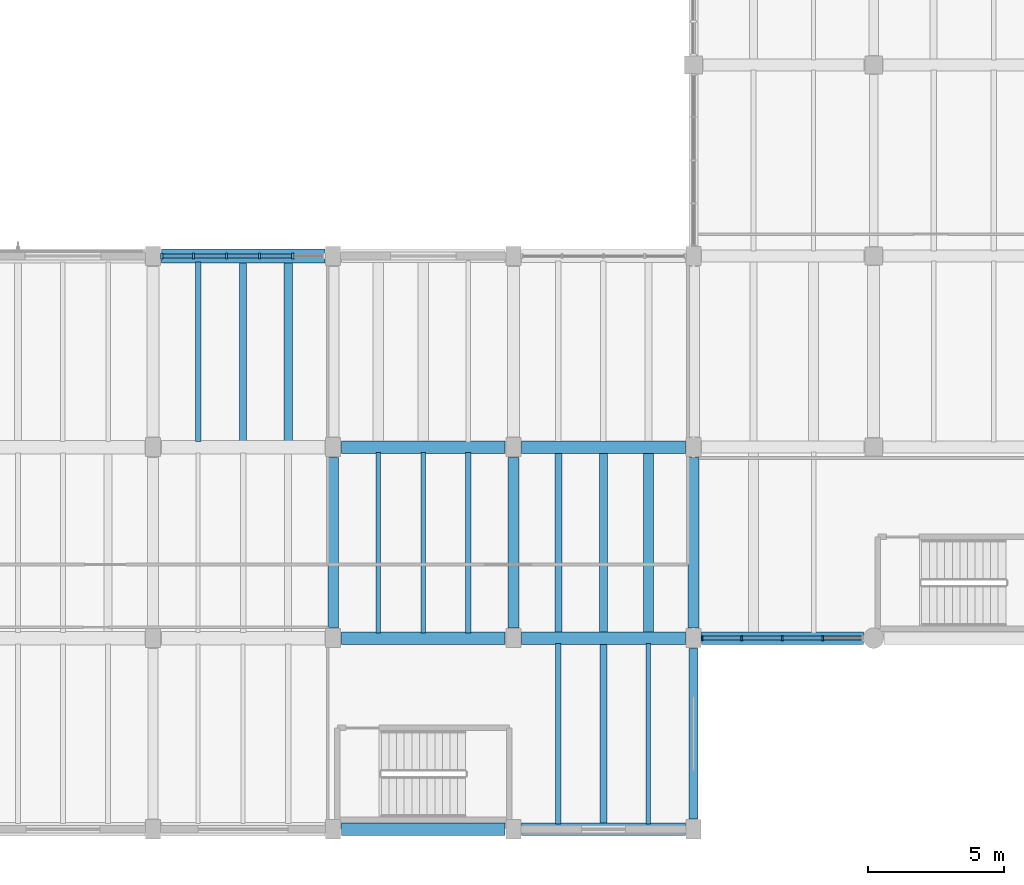
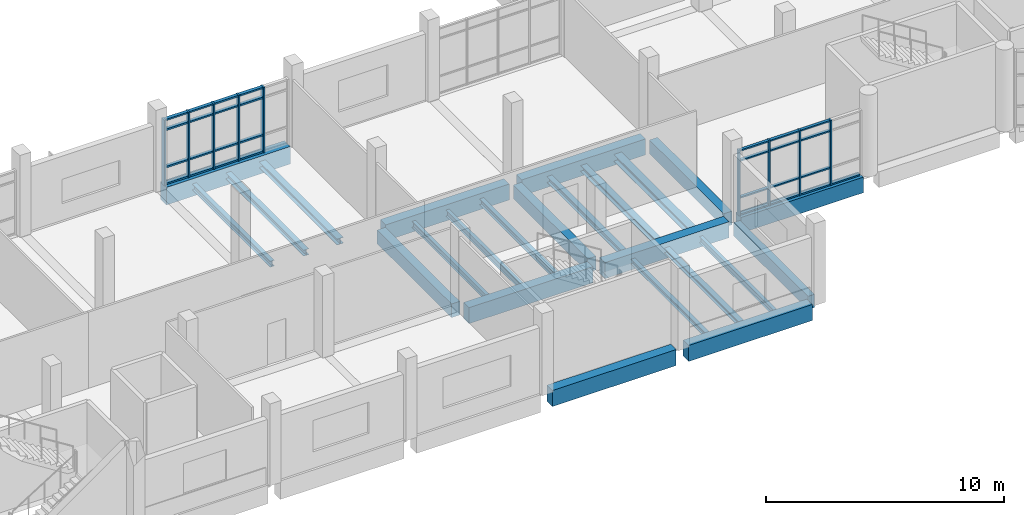
# One storey, part 5 of 68: 38 members, 24 beams, 2 elements without a shape of their own.
"""IFC4 building model written with IfcOpenShell, lengths in metres."""

from ifc_helpers import new_model, si_unit, direction, frame, origin, origin_2d, place, context, subcontext, project, spatial, rectangle, i_section, extrude, material, material_profile, profile_set, type_object, element, aggregate, save


model = new_model("IFC4")

# Units and contexts
model_context = context("Model", 3, precision=1e-05, world=origin(), true_north=direction((0.0, 1.0)))
body_context = subcontext(model_context, "Body", "Model", "MODEL_VIEW")
ifc_project = project(units=[si_unit("LENGTHUNIT", "METRE"), si_unit("AREAUNIT", "SQUARE_METRE"), si_unit("VOLUMEUNIT", "CUBIC_METRE"), si_unit("PLANEANGLEUNIT", "RADIAN"), si_unit("MASSUNIT", "GRAM", prefix="KILO")], contexts=[model_context])

# Site, building, storey
site_placement = place(None, origin())
site = spatial("IfcSite", under=ifc_project, at=site_placement, CompositionType="ELEMENT")
building_placement = place(site_placement, origin())
building = spatial("IfcBuilding", under=site, at=building_placement, Name="Ciguamira Faculty of Natural Sciences", CompositionType="ELEMENT")
storey_placement = place(building_placement, frame((0.0, 0.0, 4.199951171875)))
storey = spatial("IfcBuildingStorey", under=building, at=storey_placement, Name="L01", CompositionType="ELEMENT", Elevation=4.199951171875)

# Curtain wall, members
ifc_material_1 = material(Name="Anodized aluminium curtain wall", Category="aluminium")
curtain_wall_type_1 = type_object("IfcCurtainWallType", Name="CurtainWall_CW-02", PredefinedType="USERDEFINED", material=ifc_material_1)
curtain_wall_1_placement = place(storey_placement, origin())
curtain_wall_1 = element("IfcCurtainWall", 1, at=curtain_wall_1_placement, inside=storey, type_object=curtain_wall_type_1, Name="L01 unitised curtain wall 0026", ObjectType="UNITISED CURTAIN WALL", PredefinedType="USERDEFINED")
ifc_material_2 = material(Name="Anodized aluminium mullion", Category="aluminium")
ifc_material_profile_1 = material_profile(ifc_material_2, rectangle(XDim=0.070068359375, YDim=0.179931640625, at=origin_2d()), Name="ALU-MUL-70X180")
ifc_profile_set_1 = profile_set([ifc_material_profile_1], Name="Anodized aluminium mullion")
member_type_1 = type_object("IfcMemberType", Name="CWMullion_CWM-02", PredefinedType="MULLION", material=ifc_profile_set_1)
member_1_placement = place(storey_placement, frame((51.010009765625, 10.0, 0.0), z_axis=(0.0, 0.0, 1.0), x_axis=(1.0, 0.0, 0.0)))
member_1 = element("IfcMember", 2, at=member_1_placement, type_object=member_type_1, Name="CW-02 mullion 1", PredefinedType="MULLION", context=body_context, shape_type="SweptSolid", body=[
    extrude(rectangle(XDim=0.070068359375, YDim=0.179931640625, at=origin_2d()), origin(), (0.0, 0.0, 1.0), 3.344970703125),
])
member_2_placement = place(storey_placement, frame((52.46240234375, 10.0, 0.0), z_axis=(0.0, 0.0, 1.0), x_axis=(1.0, 0.0, 0.0)))
member_2 = element("IfcMember", 3, at=member_2_placement, type_object=member_type_1, Name="CW-02 mullion 2", PredefinedType="MULLION", context=body_context, shape_type="SweptSolid", body=[
    extrude(rectangle(XDim=0.070068359375, YDim=0.179931640625, at=origin_2d()), origin(), (0.0, 0.0, 1.0), 3.344970703125),
])
member_3_placement = place(storey_placement, frame((53.949951171875, 10.0, 0.0), z_axis=(0.0, 0.0, 1.0), x_axis=(1.0, 0.0, 0.0)))
member_3 = element("IfcMember", 4, at=member_3_placement, type_object=member_type_1, Name="CW-02 mullion 3", PredefinedType="MULLION", context=body_context, shape_type="SweptSolid", body=[
    extrude(rectangle(XDim=0.070068359375, YDim=0.179931640625, at=origin_2d()), origin(), (0.0, 0.0, 1.0), 3.344970703125),
])
member_4_placement = place(storey_placement, frame((55.4375, 10.0, 0.0), z_axis=(0.0, 0.0, 1.0), x_axis=(1.0, 0.0, 0.0)))
member_4 = element("IfcMember", 5, at=member_4_placement, type_object=member_type_1, Name="CW-02 mullion 4", PredefinedType="MULLION", context=body_context, shape_type="SweptSolid", body=[
    extrude(rectangle(XDim=0.070068359375, YDim=0.179931640625, at=origin_2d()), origin(), (0.0, 0.0, 1.0), 3.344970703125),
])

curtain_wall_type_2 = type_object("IfcCurtainWallType", Name="CurtainWall_CW-06", PredefinedType="USERDEFINED", material=ifc_material_1)
curtain_wall_2_placement = place(storey_placement, origin())
curtain_wall_2 = element("IfcCurtainWall", 6, at=curtain_wall_2_placement, inside=storey, type_object=curtain_wall_type_2, Name="L01 unitised curtain wall 0030", ObjectType="UNITISED CURTAIN WALL", PredefinedType="USERDEFINED")
ifc_material_profile_2 = material_profile(ifc_material_2, rectangle(XDim=0.080078125, YDim=0.219970703125, at=origin_2d()), Name="ALU-MUL-80X220")
ifc_profile_set_2 = profile_set([ifc_material_profile_2], Name="Anodized aluminium mullion")
member_type_2 = type_object("IfcMemberType", Name="CWMullion_CWM-03", PredefinedType="MULLION", material=ifc_profile_set_2)
member_5_placement = place(storey_placement, frame((31.215087890625, 24.0, 0.0), z_axis=(0.0, 0.0, 1.0), x_axis=(1.0, 0.0, 0.0)))
member_5 = element("IfcMember", 7, at=member_5_placement, type_object=member_type_2, Name="CW-06 mullion 1", PredefinedType="MULLION", context=body_context, shape_type="SweptSolid", body=[
    extrude(rectangle(XDim=0.080078125, YDim=0.219970703125, at=origin_2d()), origin(), (0.0, 0.0, 1.0), 3.364990234375),
])
member_6_placement = place(storey_placement, frame((32.385009765625, 24.0, 0.0), z_axis=(0.0, 0.0, 1.0), x_axis=(1.0, 0.0, 0.0)))
member_6 = element("IfcMember", 8, at=member_6_placement, type_object=member_type_2, Name="CW-06 mullion 2", PredefinedType="MULLION", context=body_context, shape_type="SweptSolid", body=[
    extrude(rectangle(XDim=0.080078125, YDim=0.219970703125, at=origin_2d()), origin(), (0.0, 0.0, 1.0), 3.364990234375),
])
member_7_placement = place(storey_placement, frame((33.594970703125, 24.0, 0.0), z_axis=(0.0, 0.0, 1.0), x_axis=(1.0, 0.0, 0.0)))
member_7 = element("IfcMember", 9, at=member_7_placement, type_object=member_type_2, Name="CW-06 mullion 3", PredefinedType="MULLION", context=body_context, shape_type="SweptSolid", body=[
    extrude(rectangle(XDim=0.080078125, YDim=0.219970703125, at=origin_2d()), origin(), (0.0, 0.0, 1.0), 3.364990234375),
])
member_8_placement = place(storey_placement, frame((34.804931640625, 24.0, 0.0), z_axis=(0.0, 0.0, 1.0), x_axis=(1.0, 0.0, 0.0)))
member_8 = element("IfcMember", 10, at=member_8_placement, type_object=member_type_2, Name="CW-06 mullion 4", PredefinedType="MULLION", context=body_context, shape_type="SweptSolid", body=[
    extrude(rectangle(XDim=0.080078125, YDim=0.219970703125, at=origin_2d()), origin(), (0.0, 0.0, 1.0), 3.364990234375),
])
member_9_placement = place(storey_placement, frame((36.014892578125, 24.0, 0.0), z_axis=(0.0, 0.0, 1.0), x_axis=(1.0, 0.0, 0.0)))
member_9 = element("IfcMember", 11, at=member_9_placement, type_object=member_type_2, Name="CW-06 mullion 5", PredefinedType="MULLION", context=body_context, shape_type="SweptSolid", body=[
    extrude(rectangle(XDim=0.080078125, YDim=0.219970703125, at=origin_2d()), origin(), (0.0, 0.0, 1.0), 3.364990234375),
])

# Member
ifc_material_3 = material(Name="Anodized aluminium transom", Category="aluminium")
ifc_material_profile_3 = material_profile(ifc_material_3, rectangle(XDim=0.070068359375, YDim=0.139892578125, at=origin_2d()), Name="ALU-TRN-70X140")
ifc_profile_set_3 = profile_set([ifc_material_profile_3], Name="Anodized aluminium transom")
member_type_3 = type_object("IfcMemberType", Name="CWTransom_CWT-02", PredefinedType="USERDEFINED", material=ifc_profile_set_3)
member_10_placement = place(storey_placement, frame((51.044921875, 10.0, 0.03515625), z_axis=(1.0, 0.0, 0.0), x_axis=(0.0, 0.0, 1.0)))
member_10 = element("IfcMember", 12, at=member_10_placement, type_object=member_type_3, Name="CW-02 transom 1.1", ObjectType="TRANSOM", PredefinedType="USERDEFINED", context=body_context, shape_type="SweptSolid", body=[
    extrude(rectangle(XDim=0.070068359375, YDim=0.139892578125, at=origin_2d()), origin(), (0.0, 0.0, 1.0), 1.382568359375),
])

member_11_placement = place(storey_placement, frame((51.044921875, 10.0, 0.900146484375), z_axis=(1.0, 0.0, 0.0), x_axis=(0.0, 0.0, 1.0)))
member_11 = element("IfcMember", 13, at=member_11_placement, type_object=member_type_3, Name="CW-02 transom 1.2", ObjectType="TRANSOM", PredefinedType="USERDEFINED", context=body_context, shape_type="SweptSolid", body=[
    extrude(rectangle(XDim=0.070068359375, YDim=0.139892578125, at=origin_2d()), origin(), (0.0, 0.0, 1.0), 1.382568359375),
])

member_12_placement = place(storey_placement, frame((51.044921875, 10.0, 2.795166015625), z_axis=(1.0, 0.0, 0.0), x_axis=(0.0, 0.0, 1.0)))
member_12 = element("IfcMember", 14, at=member_12_placement, type_object=member_type_3, Name="CW-02 transom 1.3", ObjectType="TRANSOM", PredefinedType="USERDEFINED", context=body_context, shape_type="SweptSolid", body=[
    extrude(rectangle(XDim=0.070068359375, YDim=0.139892578125, at=origin_2d()), origin(), (0.0, 0.0, 1.0), 1.382568359375),
])

member_13_placement = place(storey_placement, frame((51.044921875, 10.0, 3.31005859375), z_axis=(1.0, 0.0, 0.0), x_axis=(0.0, 0.0, 1.0)))
member_13 = element("IfcMember", 15, at=member_13_placement, type_object=member_type_3, Name="CW-02 transom 1.4", ObjectType="TRANSOM", PredefinedType="USERDEFINED", context=body_context, shape_type="SweptSolid", body=[
    extrude(rectangle(XDim=0.070068359375, YDim=0.139892578125, at=origin_2d()), origin(), (0.0, 0.0, 1.0), 1.382568359375),
])

member_14_placement = place(storey_placement, frame((52.49755859375, 10.0, 0.03515625), z_axis=(1.0, 0.0, 0.0), x_axis=(0.0, 0.0, 1.0)))
member_14 = element("IfcMember", 16, at=member_14_placement, type_object=member_type_3, Name="CW-02 transom 2.1", ObjectType="TRANSOM", PredefinedType="USERDEFINED", context=body_context, shape_type="SweptSolid", body=[
    extrude(rectangle(XDim=0.070068359375, YDim=0.139892578125, at=origin_2d()), origin(), (0.0, 0.0, 1.0), 1.41748046875),
])

member_15_placement = place(storey_placement, frame((52.49755859375, 10.0, 0.900146484375), z_axis=(1.0, 0.0, 0.0), x_axis=(0.0, 0.0, 1.0)))
member_15 = element("IfcMember", 17, at=member_15_placement, type_object=member_type_3, Name="CW-02 transom 2.2", ObjectType="TRANSOM", PredefinedType="USERDEFINED", context=body_context, shape_type="SweptSolid", body=[
    extrude(rectangle(XDim=0.070068359375, YDim=0.139892578125, at=origin_2d()), origin(), (0.0, 0.0, 1.0), 1.41748046875),
])

member_16_placement = place(storey_placement, frame((52.49755859375, 10.0, 2.795166015625), z_axis=(1.0, 0.0, 0.0), x_axis=(0.0, 0.0, 1.0)))
member_16 = element("IfcMember", 18, at=member_16_placement, type_object=member_type_3, Name="CW-02 transom 2.3", ObjectType="TRANSOM", PredefinedType="USERDEFINED", context=body_context, shape_type="SweptSolid", body=[
    extrude(rectangle(XDim=0.070068359375, YDim=0.139892578125, at=origin_2d()), origin(), (0.0, 0.0, 1.0), 1.41748046875),
])

member_17_placement = place(storey_placement, frame((52.49755859375, 10.0, 3.31005859375), z_axis=(1.0, 0.0, 0.0), x_axis=(0.0, 0.0, 1.0)))
member_17 = element("IfcMember", 19, at=member_17_placement, type_object=member_type_3, Name="CW-02 transom 2.4", ObjectType="TRANSOM", PredefinedType="USERDEFINED", context=body_context, shape_type="SweptSolid", body=[
    extrude(rectangle(XDim=0.070068359375, YDim=0.139892578125, at=origin_2d()), origin(), (0.0, 0.0, 1.0), 1.41748046875),
])

member_18_placement = place(storey_placement, frame((53.985107421875, 10.0, 0.03515625), z_axis=(1.0, 0.0, 0.0), x_axis=(0.0, 0.0, 1.0)))
member_18 = element("IfcMember", 20, at=member_18_placement, type_object=member_type_3, Name="CW-02 transom 3.1", ObjectType="TRANSOM", PredefinedType="USERDEFINED", context=body_context, shape_type="SweptSolid", body=[
    extrude(rectangle(XDim=0.070068359375, YDim=0.139892578125, at=origin_2d()), origin(), (0.0, 0.0, 1.0), 1.41748046875),
])

member_19_placement = place(storey_placement, frame((53.985107421875, 10.0, 0.900146484375), z_axis=(1.0, 0.0, 0.0), x_axis=(0.0, 0.0, 1.0)))
member_19 = element("IfcMember", 21, at=member_19_placement, type_object=member_type_3, Name="CW-02 transom 3.2", ObjectType="TRANSOM", PredefinedType="USERDEFINED", context=body_context, shape_type="SweptSolid", body=[
    extrude(rectangle(XDim=0.070068359375, YDim=0.139892578125, at=origin_2d()), origin(), (0.0, 0.0, 1.0), 1.41748046875),
])

member_20_placement = place(storey_placement, frame((53.985107421875, 10.0, 2.795166015625), z_axis=(1.0, 0.0, 0.0), x_axis=(0.0, 0.0, 1.0)))
member_20 = element("IfcMember", 22, at=member_20_placement, type_object=member_type_3, Name="CW-02 transom 3.3", ObjectType="TRANSOM", PredefinedType="USERDEFINED", context=body_context, shape_type="SweptSolid", body=[
    extrude(rectangle(XDim=0.070068359375, YDim=0.139892578125, at=origin_2d()), origin(), (0.0, 0.0, 1.0), 1.41748046875),
])

member_21_placement = place(storey_placement, frame((53.985107421875, 10.0, 3.31005859375), z_axis=(1.0, 0.0, 0.0), x_axis=(0.0, 0.0, 1.0)))
member_21 = element("IfcMember", 23, at=member_21_placement, type_object=member_type_3, Name="CW-02 transom 3.4", ObjectType="TRANSOM", PredefinedType="USERDEFINED", context=body_context, shape_type="SweptSolid", body=[
    extrude(rectangle(XDim=0.070068359375, YDim=0.139892578125, at=origin_2d()), origin(), (0.0, 0.0, 1.0), 1.41748046875),
])

member_22_placement = place(storey_placement, frame((55.472412109375, 10.0, 0.03515625), z_axis=(1.0, 0.0, 0.0), x_axis=(0.0, 0.0, 1.0)))
member_22 = element("IfcMember", 24, at=member_22_placement, type_object=member_type_3, Name="CW-02 transom 4.1", ObjectType="TRANSOM", PredefinedType="USERDEFINED", context=body_context, shape_type="SweptSolid", body=[
    extrude(rectangle(XDim=0.070068359375, YDim=0.139892578125, at=origin_2d()), origin(), (0.0, 0.0, 1.0), 1.382568359375),
])

aggregate(curtain_wall_1, [member_1, member_2, member_3, member_4, member_10, member_11, member_12, member_13, member_14, member_15, member_16, member_17, member_18, member_19, member_20, member_21, member_22])

ifc_material_profile_4 = material_profile(ifc_material_3, rectangle(XDim=0.080078125, YDim=0.159912109375, at=origin_2d()), Name="ALU-TRN-80X160")
ifc_profile_set_4 = profile_set([ifc_material_profile_4], Name="Anodized aluminium transom")
member_type_4 = type_object("IfcMemberType", Name="CWTransom_CWT-03", PredefinedType="USERDEFINED", material=ifc_profile_set_4)
member_23_placement = place(storey_placement, frame((31.2548828125, 24.0, 0.0400390625), z_axis=(1.0, 0.0, 0.0), x_axis=(0.0, 0.0, 1.0)))
member_23 = element("IfcMember", 25, at=member_23_placement, type_object=member_type_4, Name="CW-06 transom 1.1", ObjectType="TRANSOM", PredefinedType="USERDEFINED", context=body_context, shape_type="SweptSolid", body=[
    extrude(rectangle(XDim=0.080078125, YDim=0.159912109375, at=origin_2d()), origin(), (0.0, 0.0, 1.0), 1.090087890625),
])

member_24_placement = place(storey_placement, frame((31.2548828125, 24.0, 0.900146484375), z_axis=(1.0, 0.0, 0.0), x_axis=(0.0, 0.0, 1.0)))
member_24 = element("IfcMember", 26, at=member_24_placement, type_object=member_type_4, Name="CW-06 transom 1.2", ObjectType="TRANSOM", PredefinedType="USERDEFINED", context=body_context, shape_type="SweptSolid", body=[
    extrude(rectangle(XDim=0.080078125, YDim=0.159912109375, at=origin_2d()), origin(), (0.0, 0.0, 1.0), 1.090087890625),
])

member_25_placement = place(storey_placement, frame((31.2548828125, 24.0, 2.81494140625), z_axis=(1.0, 0.0, 0.0), x_axis=(0.0, 0.0, 1.0)))
member_25 = element("IfcMember", 27, at=member_25_placement, type_object=member_type_4, Name="CW-06 transom 1.3", ObjectType="TRANSOM", PredefinedType="USERDEFINED", context=body_context, shape_type="SweptSolid", body=[
    extrude(rectangle(XDim=0.080078125, YDim=0.159912109375, at=origin_2d()), origin(), (0.0, 0.0, 1.0), 1.090087890625),
])

member_26_placement = place(storey_placement, frame((31.2548828125, 24.0, 3.324951171875), z_axis=(1.0, 0.0, 0.0), x_axis=(0.0, 0.0, 1.0)))
member_26 = element("IfcMember", 28, at=member_26_placement, type_object=member_type_4, Name="CW-06 transom 1.4", ObjectType="TRANSOM", PredefinedType="USERDEFINED", context=body_context, shape_type="SweptSolid", body=[
    extrude(rectangle(XDim=0.080078125, YDim=0.159912109375, at=origin_2d()), origin(), (0.0, 0.0, 1.0), 1.090087890625),
])

member_27_placement = place(storey_placement, frame((32.425048828125, 24.0, 0.0400390625), z_axis=(1.0, 0.0, 0.0), x_axis=(0.0, 0.0, 1.0)))
member_27 = element("IfcMember", 29, at=member_27_placement, type_object=member_type_4, Name="CW-06 transom 2.1", ObjectType="TRANSOM", PredefinedType="USERDEFINED", context=body_context, shape_type="SweptSolid", body=[
    extrude(rectangle(XDim=0.080078125, YDim=0.159912109375, at=origin_2d()), origin(), (0.0, 0.0, 1.0), 1.1298828125),
])

member_28_placement = place(storey_placement, frame((32.425048828125, 24.0, 0.900146484375), z_axis=(1.0, 0.0, 0.0), x_axis=(0.0, 0.0, 1.0)))
member_28 = element("IfcMember", 30, at=member_28_placement, type_object=member_type_4, Name="CW-06 transom 2.2", ObjectType="TRANSOM", PredefinedType="USERDEFINED", context=body_context, shape_type="SweptSolid", body=[
    extrude(rectangle(XDim=0.080078125, YDim=0.159912109375, at=origin_2d()), origin(), (0.0, 0.0, 1.0), 1.1298828125),
])

member_29_placement = place(storey_placement, frame((32.425048828125, 24.0, 2.81494140625), z_axis=(1.0, 0.0, 0.0), x_axis=(0.0, 0.0, 1.0)))
member_29 = element("IfcMember", 31, at=member_29_placement, type_object=member_type_4, Name="CW-06 transom 2.3", ObjectType="TRANSOM", PredefinedType="USERDEFINED", context=body_context, shape_type="SweptSolid", body=[
    extrude(rectangle(XDim=0.080078125, YDim=0.159912109375, at=origin_2d()), origin(), (0.0, 0.0, 1.0), 1.1298828125),
])

member_30_placement = place(storey_placement, frame((32.425048828125, 24.0, 3.324951171875), z_axis=(1.0, 0.0, 0.0), x_axis=(0.0, 0.0, 1.0)))
member_30 = element("IfcMember", 32, at=member_30_placement, type_object=member_type_4, Name="CW-06 transom 2.4", ObjectType="TRANSOM", PredefinedType="USERDEFINED", context=body_context, shape_type="SweptSolid", body=[
    extrude(rectangle(XDim=0.080078125, YDim=0.159912109375, at=origin_2d()), origin(), (0.0, 0.0, 1.0), 1.1298828125),
])

member_31_placement = place(storey_placement, frame((33.635009765625, 24.0, 0.0400390625), z_axis=(1.0, 0.0, 0.0), x_axis=(0.0, 0.0, 1.0)))
member_31 = element("IfcMember", 33, at=member_31_placement, type_object=member_type_4, Name="CW-06 transom 3.1", ObjectType="TRANSOM", PredefinedType="USERDEFINED", context=body_context, shape_type="SweptSolid", body=[
    extrude(rectangle(XDim=0.080078125, YDim=0.159912109375, at=origin_2d()), origin(), (0.0, 0.0, 1.0), 1.1298828125),
])

member_32_placement = place(storey_placement, frame((33.635009765625, 24.0, 0.900146484375), z_axis=(1.0, 0.0, 0.0), x_axis=(0.0, 0.0, 1.0)))
member_32 = element("IfcMember", 34, at=member_32_placement, type_object=member_type_4, Name="CW-06 transom 3.2", ObjectType="TRANSOM", PredefinedType="USERDEFINED", context=body_context, shape_type="SweptSolid", body=[
    extrude(rectangle(XDim=0.080078125, YDim=0.159912109375, at=origin_2d()), origin(), (0.0, 0.0, 1.0), 1.1298828125),
])

member_33_placement = place(storey_placement, frame((33.635009765625, 24.0, 2.81494140625), z_axis=(1.0, 0.0, 0.0), x_axis=(0.0, 0.0, 1.0)))
member_33 = element("IfcMember", 35, at=member_33_placement, type_object=member_type_4, Name="CW-06 transom 3.3", ObjectType="TRANSOM", PredefinedType="USERDEFINED", context=body_context, shape_type="SweptSolid", body=[
    extrude(rectangle(XDim=0.080078125, YDim=0.159912109375, at=origin_2d()), origin(), (0.0, 0.0, 1.0), 1.1298828125),
])

member_34_placement = place(storey_placement, frame((33.635009765625, 24.0, 3.324951171875), z_axis=(1.0, 0.0, 0.0), x_axis=(0.0, 0.0, 1.0)))
member_34 = element("IfcMember", 36, at=member_34_placement, type_object=member_type_4, Name="CW-06 transom 3.4", ObjectType="TRANSOM", PredefinedType="USERDEFINED", context=body_context, shape_type="SweptSolid", body=[
    extrude(rectangle(XDim=0.080078125, YDim=0.159912109375, at=origin_2d()), origin(), (0.0, 0.0, 1.0), 1.1298828125),
])

member_35_placement = place(storey_placement, frame((34.844970703125, 24.0, 0.0400390625), z_axis=(1.0, 0.0, 0.0), x_axis=(0.0, 0.0, 1.0)))
member_35 = element("IfcMember", 37, at=member_35_placement, type_object=member_type_4, Name="CW-06 transom 4.1", ObjectType="TRANSOM", PredefinedType="USERDEFINED", context=body_context, shape_type="SweptSolid", body=[
    extrude(rectangle(XDim=0.080078125, YDim=0.159912109375, at=origin_2d()), origin(), (0.0, 0.0, 1.0), 1.130126953125),
])

member_36_placement = place(storey_placement, frame((34.844970703125, 24.0, 0.900146484375), z_axis=(1.0, 0.0, 0.0), x_axis=(0.0, 0.0, 1.0)))
member_36 = element("IfcMember", 38, at=member_36_placement, type_object=member_type_4, Name="CW-06 transom 4.2", ObjectType="TRANSOM", PredefinedType="USERDEFINED", context=body_context, shape_type="SweptSolid", body=[
    extrude(rectangle(XDim=0.080078125, YDim=0.159912109375, at=origin_2d()), origin(), (0.0, 0.0, 1.0), 1.130126953125),
])

member_37_placement = place(storey_placement, frame((34.844970703125, 24.0, 2.81494140625), z_axis=(1.0, 0.0, 0.0), x_axis=(0.0, 0.0, 1.0)))
member_37 = element("IfcMember", 39, at=member_37_placement, type_object=member_type_4, Name="CW-06 transom 4.3", ObjectType="TRANSOM", PredefinedType="USERDEFINED", context=body_context, shape_type="SweptSolid", body=[
    extrude(rectangle(XDim=0.080078125, YDim=0.159912109375, at=origin_2d()), origin(), (0.0, 0.0, 1.0), 1.130126953125),
])

member_38_placement = place(storey_placement, frame((34.844970703125, 24.0, 3.324951171875), z_axis=(1.0, 0.0, 0.0), x_axis=(0.0, 0.0, 1.0)))
member_38 = element("IfcMember", 40, at=member_38_placement, type_object=member_type_4, Name="CW-06 transom 4.4", ObjectType="TRANSOM", PredefinedType="USERDEFINED", context=body_context, shape_type="SweptSolid", body=[
    extrude(rectangle(XDim=0.080078125, YDim=0.159912109375, at=origin_2d()), origin(), (0.0, 0.0, 1.0), 1.130126953125),
])

aggregate(curtain_wall_2, [member_5, member_6, member_7, member_8, member_9, member_23, member_24, member_25, member_26, member_27, member_28, member_29, member_30, member_31, member_32, member_33, member_34, member_35, member_36, member_37, member_38])

# Beams
ifc_material_4 = material(Name="Concrete C40/50", Category="concrete")
ifc_material_profile_5 = material_profile(ifc_material_4, rectangle(XDim=0.5, YDim=0.89990234375, at=origin_2d()), Name="RC-BM-500X900")
ifc_profile_set_5 = profile_set([ifc_material_profile_5], Name="Concrete C40/50")
beam_type_1 = type_object("IfcBeamType", Name="RCBeam_BG-03_RC-BM-500X900", PredefinedType="BEAM", material=ifc_profile_set_5)
beam_1_placement = place(storey_placement, frame((31.199951171875, 24.0, -0.449951171875), z_axis=(1.0, 0.0, 0.0), x_axis=(0.0, 1.0, 0.0)))
element("IfcBeam", 41, at=beam_1_placement, inside=storey, type_object=beam_type_1, Name="L01 RC girder EW-0419", PredefinedType="BEAM", context=body_context, shape_type="SweptSolid", body=[
    extrude(rectangle(XDim=0.5, YDim=0.89990234375, at=origin_2d()), origin(), (0.0, 0.0, 1.0), 6.0),
])
ifc_material_profile_6 = material_profile(ifc_material_4, rectangle(XDim=0.4599609375, YDim=0.820068359375, at=origin_2d()), Name="RC-BM-460X820")
ifc_profile_set_6 = profile_set([ifc_material_profile_6], Name="Concrete C40/50")
beam_type_2 = type_object("IfcBeamType", Name="RCBeam_BG-04_RC-BM-460X820", PredefinedType="BEAM", material=ifc_profile_set_6)
for number, where, z_axis, x_axis, name in (
    (42, (37.800048828125, 3.0, -0.409912109375), (1.0, 0.0, 0.0), (0.0, 1.0, 0.0), "L01 RC girder EW-0363"),
    (43, (44.39990234375, 3.0, -0.409912109375), (1.0, 0.0, 0.0), (0.0, 1.0, 0.0), "L01 RC girder EW-0364"),
    (44, (37.800048828125, 10.0, -0.409912109375), (1.0, 0.0, 0.0), (0.0, 1.0, 0.0), "L01 RC girder EW-0377"),
    (45, (44.39990234375, 10.0, -0.409912109375), (1.0, 0.0, 0.0), (0.0, 1.0, 0.0), "L01 RC girder EW-0378"),
    (46, (37.800048828125, 17.0, -0.409912109375), (1.0, 0.0, 0.0), (0.0, 1.0, 0.0), "L01 RC girder EW-0395"),
    (47, (44.39990234375, 17.0, -0.409912109375), (1.0, 0.0, 0.0), (0.0, 1.0, 0.0), "L01 RC girder EW-0396"),
):
    element("IfcBeam", number, at=place(storey_placement, frame(where, z_axis=z_axis, x_axis=x_axis)), inside=storey, type_object=beam_type_2, Name=name, PredefinedType="BEAM", context=body_context, shape_type="SweptSolid", body=[
        extrude(rectangle(XDim=0.4599609375, YDim=0.820068359375, at=origin_2d()), origin(), (0.0, 0.0, 1.0), 6.0),
    ])
ifc_material_profile_7 = material_profile(ifc_material_4, rectangle(XDim=0.449951171875, YDim=0.800048828125, at=origin_2d()), Name="RC-BM-450X800")
ifc_profile_set_7 = profile_set([ifc_material_profile_7], Name="Concrete C40/50")
beam_type_3 = type_object("IfcBeamType", Name="RCBeam_BG-05_RC-BM-450X800", PredefinedType="BEAM", material=ifc_profile_set_7)
beam_2_placement = place(storey_placement, frame((51.0, 10.0, -0.39990234375), z_axis=(1.0, 0.0, 0.0), x_axis=(0.0, 1.0, 0.0)))
element("IfcBeam", 48, at=beam_2_placement, inside=storey, type_object=beam_type_3, Name="L01 RC girder EW-0379", PredefinedType="BEAM", context=body_context, shape_type="SweptSolid", body=[
    extrude(rectangle(XDim=0.449951171875, YDim=0.800048828125, at=origin_2d()), origin(), (0.0, 0.0, 1.0), 5.925048828125),
])
ifc_material_profile_8 = material_profile(ifc_material_4, rectangle(XDim=0.39990234375, YDim=0.699951171875, at=origin_2d()), Name="RC-BM-400X700")
ifc_profile_set_8 = profile_set([ifc_material_profile_8], Name="Concrete C40/50")
beam_type_4 = type_object("IfcBeamType", Name="RCBeam_BG-08_RC-BM-400X700", PredefinedType="BEAM", material=ifc_profile_set_8)
for number, where, z_axis, x_axis, name in (
    (49, (37.5, 10.375, -0.349853515625), (0.0, 1.0, 0.0), (-1.0, 0.0, 0.0), "L01 girder NS-0562"),
    (50, (44.10009765625, 10.375, -0.349853515625), (0.0, 1.0, 0.0), (-1.0, 0.0, 0.0), "L01 girder NS-0564"),
    (51, (50.699951171875, 10.375, -0.349853515625), (0.0, 1.0, 0.0), (-1.0, 0.0, 0.0), "L01 girder NS-0567"),
):
    element("IfcBeam", number, at=place(storey_placement, frame(where, z_axis=z_axis, x_axis=x_axis)), inside=storey, type_object=beam_type_4, Name=name, PredefinedType="BEAM", context=body_context, shape_type="SweptSolid", body=[
        extrude(rectangle(XDim=0.39990234375, YDim=0.699951171875, at=origin_2d()), origin(), (0.0, 0.0, 1.0), 6.25),
    ])
ifc_material_5 = material(Name="Precast concrete C40/50", Category="concrete")
ifc_material_profile_9 = material_profile(ifc_material_5, rectangle(XDim=0.320068359375, YDim=0.679931640625, at=origin_2d()), Name="RC-SP-320X680")
ifc_profile_set_9 = profile_set([ifc_material_profile_9], Name="Precast concrete C40/50")
beam_type_5 = type_object("IfcBeamType", Name="RCBeam_SP-02_RC-SP-320X680", PredefinedType="SPANDREL", material=ifc_profile_set_9)
beam_3_placement = place(storey_placement, frame((50.699951171875, 3.375, -0.33984375), z_axis=(0.0, 1.0, 0.0), x_axis=(-1.0, 0.0, 0.0)))
element("IfcBeam", 52, at=beam_3_placement, inside=storey, type_object=beam_type_5, Name="L01 girder NS-0566", PredefinedType="SPANDREL", context=body_context, shape_type="SweptSolid", body=[
    extrude(rectangle(XDim=0.320068359375, YDim=0.679931640625, at=origin_2d()), origin(), (0.0, 0.0, 1.0), 6.25),
])
ifc_material_6 = material(Name="Steel ASTM A992 Grade 50", Category="steel")
ifc_material_profile_10 = material_profile(ifc_material_6, i_section(OverallWidth=0.2021484375, OverallDepth=0.2470703125, WebThickness=0.00732421875, FlangeThickness=0.010986328125, at=origin_2d()), Name="W10X33")
ifc_profile_set_10 = profile_set([ifc_material_profile_10], Name="Steel ASTM A992 Grade 50")
beam_type_6 = type_object("IfcBeamType", Name="SteelJoist_SJ-02_W10X33", PredefinedType="JOIST", material=ifc_profile_set_10)
beam_4_placement = place(storey_placement, frame((45.75, 3.18994140625, -0.383544921875), z_axis=(0.0, 1.0, 0.0), x_axis=(-1.0, 0.0, 0.0)))
element("IfcBeam", 53, at=beam_4_placement, inside=storey, type_object=beam_type_6, Name="L01 composite steel joist 00370", PredefinedType="JOIST", context=body_context, shape_type="SweptSolid", body=[
    extrude(i_section(OverallWidth=0.2021484375, OverallDepth=0.2470703125, WebThickness=0.00732421875, FlangeThickness=0.010986328125, at=origin_2d()), origin(), (0.0, 0.0, 1.0), 6.6201171875),
])
ifc_material_profile_11 = material_profile(ifc_material_6, i_section(OverallWidth=0.25390625, OverallDepth=0.25390625, WebThickness=0.008544921875, FlangeThickness=0.01416015625, at=origin_2d()), Name="W10X49")
ifc_profile_set_11 = profile_set([ifc_material_profile_11], Name="Steel ASTM A992 Grade 50")
beam_type_7 = type_object("IfcBeamType", Name="SteelJoist_SJ-03_W10X49", PredefinedType="JOIST", material=ifc_profile_set_11)
beam_5_placement = place(storey_placement, frame((47.39990234375, 3.18994140625, -0.386962890625), z_axis=(0.0, 1.0, 0.0), x_axis=(-1.0, 0.0, 0.0)))
element("IfcBeam", 54, at=beam_5_placement, inside=storey, type_object=beam_type_7, Name="L01 composite steel joist 00371", PredefinedType="JOIST", context=body_context, shape_type="SweptSolid", body=[
    extrude(i_section(OverallWidth=0.25390625, OverallDepth=0.25390625, WebThickness=0.008544921875, FlangeThickness=0.01416015625, at=origin_2d()), origin(), (0.0, 0.0, 1.0), 6.6201171875),
])
ifc_material_profile_12 = material_profile(ifc_material_6, i_section(OverallWidth=0.164794921875, OverallDepth=0.309814453125, WebThickness=0.005859375, FlangeThickness=0.009765625, at=origin_2d()), Name="W12X26")
ifc_profile_set_12 = profile_set([ifc_material_profile_12], Name="Steel ASTM A992 Grade 50")
beam_type_8 = type_object("IfcBeamType", Name="SteelJoist_SJ-04_W12X26", PredefinedType="JOIST", material=ifc_profile_set_12)
for number, where, z_axis, x_axis, name in (
    (55, (39.14990234375, 10.18994140625, -0.414794921875), (0.0, 1.0, 0.0), (-1.0, 0.0, 0.0), "L01 composite steel joist 00364"),
    (56, (49.050048828125, 3.18994140625, -0.414794921875), (0.0, 1.0, 0.0), (-1.0, 0.0, 0.0), "L01 composite steel joist 00372"),
):
    element("IfcBeam", number, at=place(storey_placement, frame(where, z_axis=z_axis, x_axis=x_axis)), inside=storey, type_object=beam_type_8, Name=name, PredefinedType="JOIST", context=body_context, shape_type="SweptSolid", body=[
        extrude(i_section(OverallWidth=0.164794921875, OverallDepth=0.309814453125, WebThickness=0.005859375, FlangeThickness=0.009765625, at=origin_2d()), origin(), (0.0, 0.0, 1.0), 6.6201171875),
    ])
ifc_material_profile_13 = material_profile(ifc_material_6, i_section(OverallWidth=0.16650390625, OverallDepth=0.3173828125, WebThickness=0.007568359375, FlangeThickness=0.01318359375, at=origin_2d()), Name="W12X35")
ifc_profile_set_13 = profile_set([ifc_material_profile_13], Name="Steel ASTM A992 Grade 50")
beam_type_9 = type_object("IfcBeamType", Name="SteelJoist_SJ-05_W12X35", PredefinedType="JOIST", material=ifc_profile_set_13)
beam_6_placement = place(storey_placement, frame((40.800048828125, 10.18994140625, -0.418701171875), z_axis=(0.0, 1.0, 0.0), x_axis=(-1.0, 0.0, 0.0)))
element("IfcBeam", 57, at=beam_6_placement, inside=storey, type_object=beam_type_9, Name="L01 composite steel joist 00365", PredefinedType="JOIST", context=body_context, shape_type="SweptSolid", body=[
    extrude(i_section(OverallWidth=0.16650390625, OverallDepth=0.3173828125, WebThickness=0.007568359375, FlangeThickness=0.01318359375, at=origin_2d()), origin(), (0.0, 0.0, 1.0), 6.6201171875),
])
ifc_material_profile_14 = material_profile(ifc_material_6, i_section(OverallWidth=0.20458984375, OverallDepth=0.307373046875, WebThickness=0.008544921875, FlangeThickness=0.0146484375, at=origin_2d()), Name="W12X45")
ifc_profile_set_14 = profile_set([ifc_material_profile_14], Name="Steel ASTM A992 Grade 50")
beam_type_10 = type_object("IfcBeamType", Name="SteelJoist_SJ-06_W12X45", PredefinedType="JOIST", material=ifc_profile_set_14)
beam_7_placement = place(storey_placement, frame((32.550048828125, 17.2099609375, -0.41357421875), z_axis=(0.0, 1.0, 0.0), x_axis=(-1.0, 0.0, 0.0)))
element("IfcBeam", 58, at=beam_7_placement, inside=storey, type_object=beam_type_10, Name="L01 composite steel joist 00361", PredefinedType="JOIST", context=body_context, shape_type="SweptSolid", body=[
    extrude(i_section(OverallWidth=0.20458984375, OverallDepth=0.307373046875, WebThickness=0.008544921875, FlangeThickness=0.0146484375, at=origin_2d()), origin(), (0.0, 0.0, 1.0), 6.580078125),
])
beam_8_placement = place(storey_placement, frame((42.449951171875, 10.18994140625, -0.41357421875), z_axis=(0.0, 1.0, 0.0), x_axis=(-1.0, 0.0, 0.0)))
element("IfcBeam", 59, at=beam_8_placement, inside=storey, type_object=beam_type_10, Name="L01 composite steel joist 00366", PredefinedType="JOIST", context=body_context, shape_type="SweptSolid", body=[
    extrude(i_section(OverallWidth=0.20458984375, OverallDepth=0.307373046875, WebThickness=0.008544921875, FlangeThickness=0.0146484375, at=origin_2d()), origin(), (0.0, 0.0, 1.0), 6.6201171875),
])
ifc_material_profile_15 = material_profile(ifc_material_6, i_section(OverallWidth=0.25390625, OverallDepth=0.307373046875, WebThickness=0.0087890625, FlangeThickness=0.0146484375, at=origin_2d()), Name="W12X53")
ifc_profile_set_15 = profile_set([ifc_material_profile_15], Name="Steel ASTM A992 Grade 50")
beam_type_11 = type_object("IfcBeamType", Name="SteelJoist_SJ-07_W12X53", PredefinedType="JOIST", material=ifc_profile_set_15)
beam_9_placement = place(storey_placement, frame((34.199951171875, 17.2099609375, -0.41357421875), z_axis=(0.0, 1.0, 0.0), x_axis=(-1.0, 0.0, 0.0)))
element("IfcBeam", 60, at=beam_9_placement, inside=storey, type_object=beam_type_11, Name="L01 composite steel joist 00362", PredefinedType="JOIST", context=body_context, shape_type="SweptSolid", body=[
    extrude(i_section(OverallWidth=0.25390625, OverallDepth=0.307373046875, WebThickness=0.0087890625, FlangeThickness=0.0146484375, at=origin_2d()), origin(), (0.0, 0.0, 1.0), 6.580078125),
])
beam_10_placement = place(storey_placement, frame((45.75, 10.18994140625, -0.41357421875), z_axis=(0.0, 1.0, 0.0), x_axis=(-1.0, 0.0, 0.0)))
element("IfcBeam", 61, at=beam_10_placement, inside=storey, type_object=beam_type_11, Name="L01 composite steel joist 00373", PredefinedType="JOIST", context=body_context, shape_type="SweptSolid", body=[
    extrude(i_section(OverallWidth=0.25390625, OverallDepth=0.307373046875, WebThickness=0.0087890625, FlangeThickness=0.0146484375, at=origin_2d()), origin(), (0.0, 0.0, 1.0), 6.6201171875),
])
ifc_material_profile_16 = material_profile(ifc_material_6, i_section(OverallWidth=0.3046875, OverallDepth=0.307373046875, WebThickness=0.010009765625, FlangeThickness=0.015380859375, at=origin_2d()), Name="W12X65")
ifc_profile_set_16 = profile_set([ifc_material_profile_16], Name="Steel ASTM A992 Grade 50")
beam_type_12 = type_object("IfcBeamType", Name="SteelJoist_SJ-08_W12X65", PredefinedType="JOIST", material=ifc_profile_set_16)
beam_11_placement = place(storey_placement, frame((35.85009765625, 17.2099609375, -0.41357421875), z_axis=(0.0, 1.0, 0.0), x_axis=(-1.0, 0.0, 0.0)))
element("IfcBeam", 62, at=beam_11_placement, inside=storey, type_object=beam_type_12, Name="L01 composite steel joist 00363", PredefinedType="JOIST", context=body_context, shape_type="SweptSolid", body=[
    extrude(i_section(OverallWidth=0.3046875, OverallDepth=0.307373046875, WebThickness=0.010009765625, FlangeThickness=0.015380859375, at=origin_2d()), origin(), (0.0, 0.0, 1.0), 6.580078125),
])
beam_12_placement = place(storey_placement, frame((47.39990234375, 10.18994140625, -0.41357421875), z_axis=(0.0, 1.0, 0.0), x_axis=(-1.0, 0.0, 0.0)))
element("IfcBeam", 63, at=beam_12_placement, inside=storey, type_object=beam_type_12, Name="L01 composite steel joist 00374", PredefinedType="JOIST", context=body_context, shape_type="SweptSolid", body=[
    extrude(i_section(OverallWidth=0.3046875, OverallDepth=0.307373046875, WebThickness=0.010009765625, FlangeThickness=0.015380859375, at=origin_2d()), origin(), (0.0, 0.0, 1.0), 6.6201171875),
])
ifc_material_profile_17 = material_profile(ifc_material_6, i_section(OverallWidth=0.370849609375, OverallDepth=0.36328125, WebThickness=0.013427734375, FlangeThickness=0.021728515625, at=origin_2d()), Name="W14X109")
ifc_profile_set_17 = profile_set([ifc_material_profile_17], Name="Steel ASTM A992 Grade 50")
beam_type_13 = type_object("IfcBeamType", Name="SteelJoist_SJ-09_W14X109", PredefinedType="JOIST", material=ifc_profile_set_17)
beam_13_placement = place(storey_placement, frame((49.050048828125, 10.18994140625, -0.441650390625), z_axis=(0.0, 1.0, 0.0), x_axis=(-1.0, 0.0, 0.0)))
element("IfcBeam", 64, at=beam_13_placement, inside=storey, type_object=beam_type_13, Name="L01 composite steel joist 00375", PredefinedType="JOIST", context=body_context, shape_type="SweptSolid", body=[
    extrude(i_section(OverallWidth=0.370849609375, OverallDepth=0.36328125, WebThickness=0.013427734375, FlangeThickness=0.021728515625, at=origin_2d()), origin(), (0.0, 0.0, 1.0), 6.6201171875),
])

save(model, "model.ifc")
